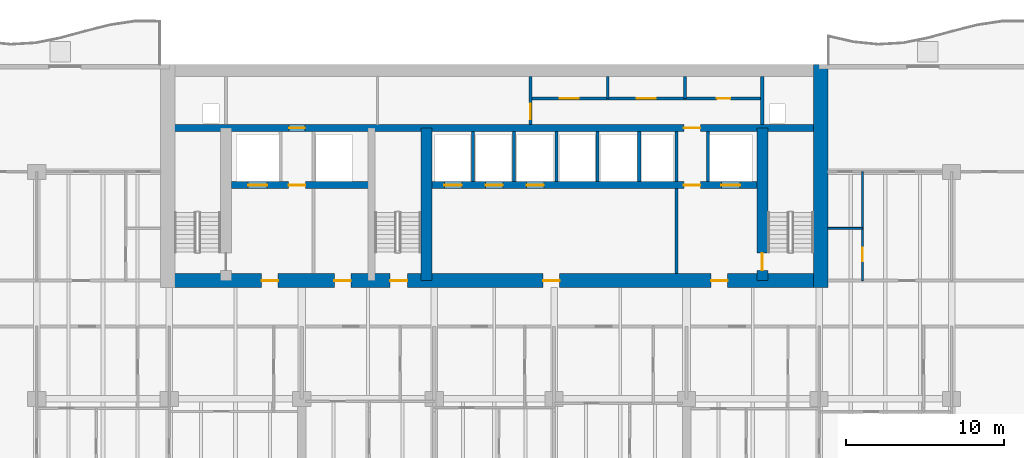
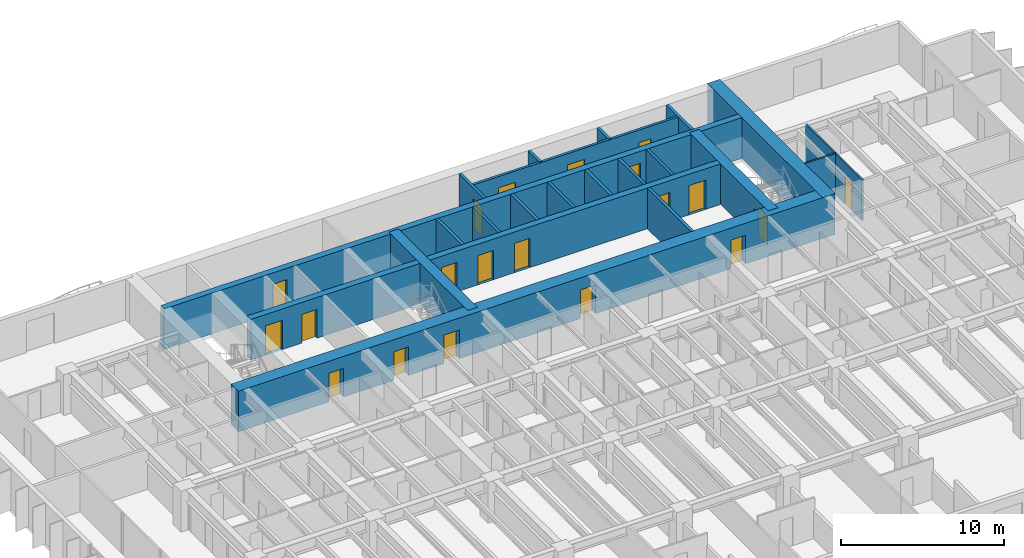
# One storey, part 11 of 18: 21 walls, 20 doors, 20 openings.
"""IFC4 building model written with IfcOpenShell, lengths in metres."""

from ifc_helpers import new_model, si_unit, direction, frame, frame_2d, origin, place, context, subcontext, project, spatial, rectangle, extrude, material, layer, layer_set, type_object, element, fill, save


model = new_model("IFC4")

# Units and contexts
model_context = context("Model", 3, precision=1e-05, world=origin(), true_north=direction((0.0, 1.0)))
body_context = subcontext(model_context, "Body", "Model", "MODEL_VIEW")
ifc_project = project(units=[si_unit("LENGTHUNIT", "METRE"), si_unit("AREAUNIT", "SQUARE_METRE"), si_unit("VOLUMEUNIT", "CUBIC_METRE"), si_unit("PLANEANGLEUNIT", "RADIAN"), si_unit("MASSUNIT", "GRAM", prefix="KILO")], contexts=[model_context])

# Site, building, storey
site_placement = place(None, origin())
site = spatial("IfcSite", under=ifc_project, at=site_placement, CompositionType="ELEMENT")
building_placement = place(site_placement, origin())
building = spatial("IfcBuilding", under=site, at=building_placement, Name="Caelmar Bay Residences", CompositionType="ELEMENT")
storey_placement = place(building_placement, frame((0.0, 0.0, 39.89990234375)))
storey = spatial("IfcBuildingStorey", under=building, at=storey_placement, Name="L09", CompositionType="ELEMENT", Elevation=39.89990234375)

# Wall, opening, door
ifc_material_1 = material(Name="Concrete f'c 55 MPa (8,000 psi)", Category="concrete")
ifc_layer_1 = layer(ifc_material_1, 0.699951171875)
ifc_layer_set_1 = layer_set([ifc_layer_1], Name="Concrete f'c 55 MPa (8,000 psi)")
wall_type_1 = type_object("IfcWallType", Name="SW-COR-700", PredefinedType="SHEAR", material=ifc_layer_set_1)
wall_1_placement = place(storey_placement, frame((55.89990234375, 36.89990234375, 0.0), z_axis=(0.0, 0.0, 1.0), x_axis=(0.0, 1.0, 0.0)))
wall_1 = element("IfcWall", 1, at=wall_1_placement, inside=storey, type_object=wall_type_1, Name="L09 Core Structural Web Wall ST2W", PredefinedType="SHEAR", context=body_context, shape_type="SweptSolid", body=[
    extrude(rectangle(XDim=9.675048828125, YDim=0.699951171875, at=frame_2d((4.83740234375, 0.0))), origin(), (0.0, 0.0, 1.0), 3.050048828125),
])
opening_1_placement = place(wall_1_placement, frame((0.64990234375, 0.0, 0.0)))
opening_1 = element("IfcOpeningElement", 2, at=opening_1_placement, cuts=wall_1, Name="Opening D-L09-111", PredefinedType="OPENING", context=body_context, shape_type="SweptSolid", body=[
    extrude(rectangle(XDim=1.10009765625, YDim=2.14990234375, at=frame_2d((0.550048828125, 1.074951171875))), frame((0.0, 0.35986328125, 0.0), z_axis=(0.0, -1.0, 0.0), x_axis=(1.0, 0.0, 0.0)), (0.0, 0.0, 1.0), 0.719970703125),
])
ifc_material_2 = material(Name="Fire-rated steel and walnut architectural door assembly", Category="steel")
ifc_layer_2 = layer(ifc_material_2, 0.050048828125)
ifc_layer_set_2 = layer_set([ifc_layer_2], Name="Fire-rated steel and walnut architectural door assembly")
door_type_1 = type_object("IfcDoorType", Name="D-STAIR-1100", OperationType="NOTDEFINED", PredefinedType="DOOR", material=ifc_layer_set_2)
door_1_placement = place(opening_1_placement, origin())
door_1 = element("IfcDoor", 3, at=door_1_placement, inside=storey, type_object=door_type_1, Name="L09 Firefighting Lobby East Door", OperationType="SINGLE_SWING_RIGHT", OverallHeight=2.14990234375, OverallWidth=1.10009765625, PredefinedType="DOOR", context=body_context, shape_type="SweptSolid", body=[
    extrude(rectangle(XDim=1.10009765625, YDim=2.14990234375, at=frame_2d((0.550048828125, 1.074951171875))), frame((0.0, 0.02490234375, 0.0), z_axis=(0.0, -1.0, 0.0), x_axis=(1.0, 0.0, 0.0)), (0.0, 0.0, 1.0), 0.050048828125),
])
fill(opening_1, door_1)

# Wall
wall_2_placement = place(storey_placement, frame((34.60009765625, 36.89990234375, 0.0), z_axis=(0.0, 0.0, 1.0), x_axis=(0.0, 1.0, 0.0)))
element("IfcWall", 4, at=wall_2_placement, inside=storey, type_object=wall_type_1, Name="L09 Core Structural Web Wall ST3E", PredefinedType="SHEAR", context=body_context, shape_type="SweptSolid", body=[
    extrude(rectangle(XDim=9.675048828125, YDim=0.699951171875, at=frame_2d((4.83740234375, 0.0))), origin(), (0.0, 0.0, 1.0), 3.050048828125),
])

# Wall, openings, doors
ifc_material_3 = material(Name="Concrete f'c 70 MPa (10,000 psi)", Category="concrete")
ifc_layer_3 = layer(ifc_material_3, 0.89990234375)
ifc_layer_set_3 = layer_set([ifc_layer_3], Name="Concrete f'c 70 MPa (10,000 psi)")
wall_type_2 = type_object("IfcWallType", Name="SW-COR-900", PredefinedType="SHEAR", material=ifc_layer_set_3)
wall_3_placement = place(storey_placement, frame((17.75, 36.89990234375, 0.0), z_axis=(0.0, 0.0, 1.0), x_axis=(1.0, 0.0, 0.0)))
wall_3 = element("IfcWall", 5, at=wall_3_placement, inside=storey, type_object=wall_type_2, Name="L09 Rear Core South Shear Wall", PredefinedType="SHEAR", context=body_context, shape_type="SweptSolid", body=[
    extrude(rectangle(XDim=42.300048828125, YDim=0.89990234375, at=frame_2d((21.14990234375, 0.0))), origin(), (0.0, 0.0, 1.0), 3.050048828125),
])
opening_2_placement = place(wall_3_placement, frame((14.550048828125, 0.0, 0.0)))
opening_2 = element("IfcOpeningElement", 6, at=opening_2_placement, cuts=wall_3, Name="Opening D-L09-106", PredefinedType="OPENING", context=body_context, shape_type="SweptSolid", body=[
    extrude(rectangle(XDim=1.10009765625, YDim=2.14990234375, at=frame_2d((0.550048828125, 1.074951171875))), frame((0.0, 0.4599609375, 0.0), z_axis=(0.0, -1.0, 0.0), x_axis=(1.0, 0.0, 0.0)), (0.0, 0.0, 1.0), 0.919921875),
])
opening_3_placement = place(wall_3_placement, frame((6.39990234375, 0.0, 0.0)))
opening_3 = element("IfcOpeningElement", 7, at=opening_3_placement, cuts=wall_3, Name="Opening D-L09-107", PredefinedType="OPENING", context=body_context, shape_type="SweptSolid", body=[
    extrude(rectangle(XDim=1.050048828125, YDim=2.14990234375, at=frame_2d((0.52490234375, 1.074951171875))), frame((0.0, 0.4599609375, 0.0), z_axis=(0.0, -1.0, 0.0), x_axis=(1.0, 0.0, 0.0)), (0.0, 0.0, 1.0), 0.919921875),
])
opening_4_placement = place(wall_3_placement, frame((34.89990234375, 0.0, 0.0)))
opening_4 = element("IfcOpeningElement", 8, at=opening_4_placement, cuts=wall_3, Name="Opening D-L09-110", PredefinedType="OPENING", context=body_context, shape_type="SweptSolid", body=[
    extrude(rectangle(XDim=1.050048828125, YDim=2.14990234375, at=frame_2d((0.52490234375, 1.074951171875))), frame((0.0, 0.4599609375, 0.0), z_axis=(0.0, -1.0, 0.0), x_axis=(1.0, 0.0, 0.0)), (0.0, 0.0, 1.0), 0.919921875),
])
opening_5_placement = place(wall_3_placement, frame((11.012451171875, 0.0, 0.0)))
opening_5 = element("IfcOpeningElement", 9, at=opening_5_placement, cuts=wall_3, Name="Opening D-L09-113", PredefinedType="OPENING", context=body_context, shape_type="SweptSolid", body=[
    extrude(rectangle(XDim=1.050048828125, YDim=2.14990234375, at=frame_2d((0.52490234375, 1.074951171875))), frame((0.0, 0.4599609375, 0.0), z_axis=(0.0, -1.0, 0.0), x_axis=(1.0, 0.0, 0.0)), (0.0, 0.0, 1.0), 0.919921875),
])
opening_6_placement = place(wall_3_placement, frame((24.25, 0.0, 0.0)))
opening_6 = element("IfcOpeningElement", 10, at=opening_6_placement, cuts=wall_3, Name="Opening D-L09-114", PredefinedType="OPENING", context=body_context, shape_type="SweptSolid", body=[
    extrude(rectangle(XDim=1.050048828125, YDim=2.14990234375, at=frame_2d((0.52490234375, 1.074951171875))), frame((0.0, 0.4599609375, 0.0), z_axis=(0.0, -1.0, 0.0), x_axis=(1.0, 0.0, 0.0)), (0.0, 0.0, 1.0), 0.919921875),
])
ifc_layer_4 = layer(ifc_material_2, 0.050048828125)
ifc_layer_set_4 = layer_set([ifc_layer_4], Name="Fire-rated steel and walnut architectural door assembly")
door_type_2 = type_object("IfcDoorType", Name="D-FSAE-1050", OperationType="NOTDEFINED", PredefinedType="DOOR", material=ifc_layer_set_4)
door_2_placement = place(opening_3_placement, origin())
door_2 = element("IfcDoor", 11, at=door_2_placement, inside=storey, type_object=door_type_2, Name="L09 Firefighting Lobby West Door", OperationType="SINGLE_SWING_RIGHT", OverallHeight=2.14990234375, OverallWidth=1.050048828125, PredefinedType="DOOR", context=body_context, shape_type="SweptSolid", body=[
    extrude(rectangle(XDim=1.050048828125, YDim=2.14990234375, at=frame_2d((0.52490234375, 1.074951171875))), frame((0.0, 0.02490234375, 0.0), z_axis=(0.0, -1.0, 0.0), x_axis=(1.0, 0.0, 0.0)), (0.0, 0.0, 1.0), 0.050048828125),
])
fill(opening_3, door_2)
door_3_placement = place(opening_4_placement, origin())
door_3 = element("IfcDoor", 12, at=door_3_placement, inside=storey, type_object=door_type_2, Name="L09 Firefighting Lobby East Door", OperationType="SINGLE_SWING_LEFT", OverallHeight=2.14990234375, OverallWidth=1.050048828125, PredefinedType="DOOR", context=body_context, shape_type="SweptSolid", body=[
    extrude(rectangle(XDim=1.050048828125, YDim=2.14990234375, at=frame_2d((0.52490234375, 1.074951171875))), frame((0.0, 0.02490234375, 0.0), z_axis=(0.0, -1.0, 0.0), x_axis=(1.0, 0.0, 0.0)), (0.0, 0.0, 1.0), 0.050048828125),
])
fill(opening_4, door_3)
door_4_placement = place(opening_5_placement, origin())
door_4 = element("IfcDoor", 13, at=door_4_placement, inside=storey, type_object=door_type_2, Name="L09 West Lift Lobby Door", OperationType="SINGLE_SWING_RIGHT", OverallHeight=2.14990234375, OverallWidth=1.050048828125, PredefinedType="DOOR", context=body_context, shape_type="SweptSolid", body=[
    extrude(rectangle(XDim=1.050048828125, YDim=2.14990234375, at=frame_2d((0.52490234375, 1.074951171875))), frame((0.0, 0.02490234375, 0.0), z_axis=(0.0, -1.0, 0.0), x_axis=(1.0, 0.0, 0.0)), (0.0, 0.0, 1.0), 0.050048828125),
])
fill(opening_5, door_4)
door_5_placement = place(opening_6_placement, origin())
door_5 = element("IfcDoor", 14, at=door_5_placement, inside=storey, type_object=door_type_2, Name="L09 Passenger Lift Lobby Door", OperationType="SINGLE_SWING_LEFT", OverallHeight=2.14990234375, OverallWidth=1.050048828125, PredefinedType="DOOR", context=body_context, shape_type="SweptSolid", body=[
    extrude(rectangle(XDim=1.050048828125, YDim=2.14990234375, at=frame_2d((0.52490234375, 1.074951171875))), frame((0.0, 0.02490234375, 0.0), z_axis=(0.0, -1.0, 0.0), x_axis=(1.0, 0.0, 0.0)), (0.0, 0.0, 1.0), 0.050048828125),
])
fill(opening_6, door_5)
door_6_placement = place(opening_2_placement, origin())
door_6 = element("IfcDoor", 15, at=door_6_placement, inside=storey, type_object=door_type_1, Name="L09 Exit Stair ST3 Door", OperationType="SINGLE_SWING_LEFT", OverallHeight=2.14990234375, OverallWidth=1.10009765625, PredefinedType="DOOR", context=body_context, shape_type="SweptSolid", body=[
    extrude(rectangle(XDim=1.10009765625, YDim=2.14990234375, at=frame_2d((0.550048828125, 1.074951171875))), frame((0.0, 0.02490234375, 0.0), z_axis=(0.0, -1.0, 0.0), x_axis=(1.0, 0.0, 0.0)), (0.0, 0.0, 1.0), 0.050048828125),
])
fill(opening_2, door_6)

# Wall
wall_4_placement = place(storey_placement, frame((59.60009765625, 36.449951171875, 0.0), z_axis=(0.0, 0.0, 1.0), x_axis=(0.0, 1.0, 0.0)))
element("IfcWall", 16, at=wall_4_placement, inside=storey, type_object=wall_type_2, Name="L09 Rear Core East Shear Wall", PredefinedType="SHEAR", context=body_context, shape_type="SweptSolid", body=[
    extrude(rectangle(XDim=14.150146484375, YDim=0.89990234375, at=frame_2d((7.0751953125, 0.0))), origin(), (0.0, 0.0, 1.0), 3.050048828125),
])

# Wall, openings, doors
ifc_layer_5 = layer(ifc_material_3, 0.449951171875)
ifc_layer_set_5 = layer_set([ifc_layer_5], Name="Concrete f'c 70 MPa (10,000 psi)")
wall_type_3 = type_object("IfcWallType", Name="SW-WEB-450", PredefinedType="SHEAR", material=ifc_layer_set_5)
wall_5_placement = place(storey_placement, frame((22.25, 42.949951171875, 0.0), z_axis=(0.0, 0.0, 1.0), x_axis=(1.0, 0.0, 0.0)))
wall_5 = element("IfcWall", 17, at=wall_5_placement, inside=storey, type_object=wall_type_3, Name="L09 Core Structural Web Wall LFR", PredefinedType="SHEAR", context=body_context, shape_type="SweptSolid", body=[
    extrude(rectangle(XDim=33.300048828125, YDim=0.449951171875, at=frame_2d((16.64990234375, 0.0))), origin(), (0.0, 0.0, 1.0), 3.050048828125),
])
opening_7_placement = place(wall_5_placement, frame((1.050048828125, 0.0, 0.0)))
opening_7 = element("IfcOpeningElement", 18, at=opening_7_placement, cuts=wall_5, Name="Opening LD2", PredefinedType="OPENING", context=body_context, shape_type="SweptSolid", body=[
    extrude(rectangle(XDim=1.199951171875, YDim=2.199951171875, at=frame_2d((0.60009765625, 1.10009765625))), frame((0.0, 0.23486328125, 0.0), z_axis=(0.0, -1.0, 0.0), x_axis=(1.0, 0.0, 0.0)), (0.0, 0.0, 1.0), 0.469970703125),
])
opening_8_placement = place(wall_5_placement, frame((31.050048828125, 0.0, 0.0)))
opening_8 = element("IfcOpeningElement", 19, at=opening_8_placement, cuts=wall_5, Name="Opening LD2", PredefinedType="OPENING", context=body_context, shape_type="SweptSolid", body=[
    extrude(rectangle(XDim=1.199951171875, YDim=2.199951171875, at=frame_2d((0.60009765625, 1.10009765625))), frame((0.0, 0.23486328125, 0.0), z_axis=(0.0, -1.0, 0.0), x_axis=(1.0, 0.0, 0.0)), (0.0, 0.0, 1.0), 0.469970703125),
])
opening_9_placement = place(wall_5_placement, frame((13.5, 0.0, 0.0)))
opening_9 = element("IfcOpeningElement", 20, at=opening_9_placement, cuts=wall_5, Name="Opening LD1", PredefinedType="OPENING", context=body_context, shape_type="SweptSolid", body=[
    extrude(rectangle(XDim=1.10009765625, YDim=2.199951171875, at=frame_2d((0.550048828125, 1.10009765625))), frame((0.0, 0.23486328125, 0.0), z_axis=(0.0, -1.0, 0.0), x_axis=(1.0, 0.0, 0.0)), (0.0, 0.0, 1.0), 0.469970703125),
])
opening_10_placement = place(wall_5_placement, frame((16.10009765625, 0.0, 0.0)))
opening_10 = element("IfcOpeningElement", 21, at=opening_10_placement, cuts=wall_5, Name="Opening LD1", PredefinedType="OPENING", context=body_context, shape_type="SweptSolid", body=[
    extrude(rectangle(XDim=1.10009765625, YDim=2.199951171875, at=frame_2d((0.550048828125, 1.10009765625))), frame((0.0, 0.23486328125, 0.0), z_axis=(0.0, -1.0, 0.0), x_axis=(1.0, 0.0, 0.0)), (0.0, 0.0, 1.0), 0.469970703125),
])
opening_11_placement = place(wall_5_placement, frame((18.699951171875, 0.0, 0.0)))
opening_11 = element("IfcOpeningElement", 22, at=opening_11_placement, cuts=wall_5, Name="Opening LD1", PredefinedType="OPENING", context=body_context, shape_type="SweptSolid", body=[
    extrude(rectangle(XDim=1.10009765625, YDim=2.199951171875, at=frame_2d((0.550048828125, 1.10009765625))), frame((0.0, 0.23486328125, 0.0), z_axis=(0.0, -1.0, 0.0), x_axis=(1.0, 0.0, 0.0)), (0.0, 0.0, 1.0), 0.469970703125),
])
opening_12_placement = place(wall_5_placement, frame((3.625, 0.0, 0.0)))
opening_12 = element("IfcOpeningElement", 23, at=opening_12_placement, cuts=wall_5, Name="Opening D-L09-109", PredefinedType="OPENING", context=body_context, shape_type="SweptSolid", body=[
    extrude(rectangle(XDim=1.050048828125, YDim=2.14990234375, at=frame_2d((0.52490234375, 1.074951171875))), frame((0.0, 0.23486328125, 0.0), z_axis=(0.0, -1.0, 0.0), x_axis=(1.0, 0.0, 0.0)), (0.0, 0.0, 1.0), 0.469970703125),
])
opening_13_placement = place(wall_5_placement, frame((28.675048828125, 0.0, 0.0)))
opening_13 = element("IfcOpeningElement", 24, at=opening_13_placement, cuts=wall_5, Name="Opening D-L09-112", PredefinedType="OPENING", context=body_context, shape_type="SweptSolid", body=[
    extrude(rectangle(XDim=1.050048828125, YDim=2.14990234375, at=frame_2d((0.52490234375, 1.074951171875))), frame((0.0, 0.23486328125, 0.0), z_axis=(0.0, -1.0, 0.0), x_axis=(1.0, 0.0, 0.0)), (0.0, 0.0, 1.0), 0.469970703125),
])
door_7_placement = place(opening_12_placement, origin())
door_7 = element("IfcDoor", 25, at=door_7_placement, inside=storey, type_object=door_type_2, Name="L09 Firefighting Lobby West Door", OperationType="SINGLE_SWING_RIGHT", OverallHeight=2.14990234375, OverallWidth=1.050048828125, PredefinedType="DOOR", context=body_context, shape_type="SweptSolid", body=[
    extrude(rectangle(XDim=1.050048828125, YDim=2.14990234375, at=frame_2d((0.52490234375, 1.074951171875))), frame((0.0, 0.02490234375, 0.0), z_axis=(0.0, -1.0, 0.0), x_axis=(1.0, 0.0, 0.0)), (0.0, 0.0, 1.0), 0.050048828125),
])
fill(opening_12, door_7)
door_8_placement = place(opening_13_placement, origin())
door_8 = element("IfcDoor", 26, at=door_8_placement, inside=storey, type_object=door_type_2, Name="L09 Firefighting Lobby East Door", OperationType="SINGLE_SWING_LEFT", OverallHeight=2.14990234375, OverallWidth=1.050048828125, PredefinedType="DOOR", context=body_context, shape_type="SweptSolid", body=[
    extrude(rectangle(XDim=1.050048828125, YDim=2.14990234375, at=frame_2d((0.52490234375, 1.074951171875))), frame((0.0, 0.02490234375, 0.0), z_axis=(0.0, -1.0, 0.0), x_axis=(1.0, 0.0, 0.0)), (0.0, 0.0, 1.0), 0.050048828125),
])
fill(opening_13, door_8)
ifc_material_4 = material(Name="Brushed bronze stainless-steel fire-rated lift landing doors", Category="steel")
ifc_layer_6 = layer(ifc_material_4, 0.050048828125)
ifc_layer_set_6 = layer_set([ifc_layer_6], Name="Brushed bronze stainless-steel fire-rated lift landing doors")
door_type_3 = type_object("IfcDoorType", Name="D-LND-1100", OperationType="DOUBLE_DOOR_SLIDING", PredefinedType="DOOR", material=ifc_layer_set_6)
door_9_placement = place(opening_9_placement, origin())
door_9 = element("IfcDoor", 27, at=door_9_placement, inside=storey, type_object=door_type_3, Name="L09 LP1 Sliding Landing Door", OperationType="DOUBLE_DOOR_SLIDING", OverallHeight=2.199951171875, OverallWidth=1.10009765625, PredefinedType="DOOR", context=body_context, shape_type="SweptSolid", body=[
    extrude(rectangle(XDim=1.10009765625, YDim=2.199951171875, at=frame_2d((0.550048828125, 1.10009765625))), frame((0.0, 0.02490234375, 0.0), z_axis=(0.0, -1.0, 0.0), x_axis=(1.0, 0.0, 0.0)), (0.0, 0.0, 1.0), 0.050048828125),
])
fill(opening_9, door_9)
door_10_placement = place(opening_10_placement, origin())
door_10 = element("IfcDoor", 28, at=door_10_placement, inside=storey, type_object=door_type_3, Name="L09 LP2 Sliding Landing Door", OperationType="DOUBLE_DOOR_SLIDING", OverallHeight=2.199951171875, OverallWidth=1.10009765625, PredefinedType="DOOR", context=body_context, shape_type="SweptSolid", body=[
    extrude(rectangle(XDim=1.10009765625, YDim=2.199951171875, at=frame_2d((0.550048828125, 1.10009765625))), frame((0.0, 0.02490234375, 0.0), z_axis=(0.0, -1.0, 0.0), x_axis=(1.0, 0.0, 0.0)), (0.0, 0.0, 1.0), 0.050048828125),
])
fill(opening_10, door_10)
door_11_placement = place(opening_11_placement, origin())
door_11 = element("IfcDoor", 29, at=door_11_placement, inside=storey, type_object=door_type_3, Name="L09 LP3 Sliding Landing Door", OperationType="DOUBLE_DOOR_SLIDING", OverallHeight=2.199951171875, OverallWidth=1.10009765625, PredefinedType="DOOR", context=body_context, shape_type="SweptSolid", body=[
    extrude(rectangle(XDim=1.10009765625, YDim=2.199951171875, at=frame_2d((0.550048828125, 1.10009765625))), frame((0.0, 0.02490234375, 0.0), z_axis=(0.0, -1.0, 0.0), x_axis=(1.0, 0.0, 0.0)), (0.0, 0.0, 1.0), 0.050048828125),
])
fill(opening_11, door_11)
ifc_material_5 = material(Name="Brushed stainless-steel FSAE sliding landing door", Category="steel")
ifc_layer_7 = layer(ifc_material_5, 0.050048828125)
ifc_layer_set_7 = layer_set([ifc_layer_7], Name="Brushed stainless-steel FSAE sliding landing door")
door_type_4 = type_object("IfcDoorType", Name="D-LND-1200", OperationType="DOUBLE_DOOR_SLIDING", PredefinedType="DOOR", material=ifc_layer_set_7)
door_12_placement = place(opening_7_placement, origin())
door_12 = element("IfcDoor", 30, at=door_12_placement, inside=storey, type_object=door_type_4, Name="L09 LF1 Sliding Landing Door", OperationType="DOUBLE_DOOR_SLIDING", OverallHeight=2.199951171875, OverallWidth=1.199951171875, PredefinedType="DOOR", context=body_context, shape_type="SweptSolid", body=[
    extrude(rectangle(XDim=1.199951171875, YDim=2.199951171875, at=frame_2d((0.60009765625, 1.10009765625))), frame((0.0, 0.02490234375, 0.0), z_axis=(0.0, -1.0, 0.0), x_axis=(1.0, 0.0, 0.0)), (0.0, 0.0, 1.0), 0.050048828125),
])
fill(opening_7, door_12)
door_13_placement = place(opening_8_placement, origin())
door_13 = element("IfcDoor", 31, at=door_13_placement, inside=storey, type_object=door_type_4, Name="L09 LF2 Sliding Landing Door", OperationType="DOUBLE_DOOR_SLIDING", OverallHeight=2.199951171875, OverallWidth=1.199951171875, PredefinedType="DOOR", context=body_context, shape_type="SweptSolid", body=[
    extrude(rectangle(XDim=1.199951171875, YDim=2.199951171875, at=frame_2d((0.60009765625, 1.10009765625))), frame((0.0, 0.02490234375, 0.0), z_axis=(0.0, -1.0, 0.0), x_axis=(1.0, 0.0, 0.0)), (0.0, 0.0, 1.0), 0.050048828125),
])
fill(opening_8, door_13)

wall_6_placement = place(storey_placement, frame((18.199951171875, 46.574951171875, 0.0), z_axis=(0.0, 0.0, 1.0), x_axis=(1.0, 0.0, 0.0)))
wall_6 = element("IfcWall", 32, at=wall_6_placement, inside=storey, type_object=wall_type_3, Name="L09 Core Structural Web Wall SRVS", PredefinedType="SHEAR", context=body_context, shape_type="SweptSolid", body=[
    extrude(rectangle(XDim=41.400146484375, YDim=0.449951171875, at=frame_2d((20.7001953125, 0.0))), origin(), (0.0, 0.0, 1.0), 3.050048828125),
])
opening_14_placement = place(wall_6_placement, frame((7.699951171875, 0.0, 0.0)))
opening_14 = element("IfcOpeningElement", 33, at=opening_14_placement, cuts=wall_6, Name="Opening D-L09-115", PredefinedType="OPENING", context=body_context, shape_type="SweptSolid", body=[
    extrude(rectangle(XDim=1.0, YDim=2.199951171875, at=frame_2d((0.5, 1.10009765625))), frame((0.0, 0.23486328125, 0.0), z_axis=(0.0, -1.0, 0.0), x_axis=(1.0, 0.0, 0.0)), (0.0, 0.0, 1.0), 0.469970703125),
])
opening_15_placement = place(wall_6_placement, frame((32.72509765625, 0.0, 0.0)))
opening_15 = element("IfcOpeningElement", 34, at=opening_15_placement, cuts=wall_6, Name="Opening D-L09-116", PredefinedType="OPENING", context=body_context, shape_type="SweptSolid", body=[
    extrude(rectangle(XDim=1.050048828125, YDim=2.14990234375, at=frame_2d((0.52490234375, 1.074951171875))), frame((0.0, 0.23486328125, 0.0), z_axis=(0.0, -1.0, 0.0), x_axis=(1.0, 0.0, 0.0)), (0.0, 0.0, 1.0), 0.469970703125),
])
door_14_placement = place(opening_15_placement, origin())
door_14 = element("IfcDoor", 35, at=door_14_placement, inside=storey, type_object=door_type_2, Name="L09 East Core Service Corridor Door", OperationType="SINGLE_SWING_LEFT", OverallHeight=2.14990234375, OverallWidth=1.050048828125, PredefinedType="DOOR", context=body_context, shape_type="SweptSolid", body=[
    extrude(rectangle(XDim=1.050048828125, YDim=2.14990234375, at=frame_2d((0.52490234375, 1.074951171875))), frame((0.0, 0.02490234375, 0.0), z_axis=(0.0, -1.0, 0.0), x_axis=(1.0, 0.0, 0.0)), (0.0, 0.0, 1.0), 0.050048828125),
])
fill(opening_15, door_14)
ifc_layer_8 = layer(ifc_material_2, 0.050048828125)
ifc_layer_set_8 = layer_set([ifc_layer_8], Name="Fire-rated steel and walnut architectural door assembly")
door_type_5 = type_object("IfcDoorType", Name="D-UNIT-1000", OperationType="NOTDEFINED", PredefinedType="DOOR", material=ifc_layer_set_8)
door_15_placement = place(opening_14_placement, origin())
door_15 = element("IfcDoor", 36, at=door_15_placement, inside=storey, type_object=door_type_5, Name="L09 Package Concierge Office Door", OperationType="SINGLE_SWING_RIGHT", OverallHeight=2.199951171875, OverallWidth=1.0, PredefinedType="DOOR", context=body_context, shape_type="SweptSolid", body=[
    extrude(rectangle(XDim=1.0, YDim=2.199951171875, at=frame_2d((0.5, 1.10009765625))), frame((0.0, 0.02490234375, 0.0), z_axis=(0.0, -1.0, 0.0), x_axis=(1.0, 0.0, 0.0)), (0.0, 0.0, 1.0), 0.050048828125),
])
fill(opening_14, door_15)

# Wall, opening, door
ifc_material_6 = material(Name="Double-stud acoustic fire-rated gypsum partition 180 mm")
ifc_layer_9 = layer(ifc_material_6, 0.179931640625)
ifc_layer_set_9 = layer_set([ifc_layer_9], Name="Double-stud acoustic fire-rated gypsum partition 180 mm")
wall_type_4 = type_object("IfcWallType", Name="W-COR-200", PredefinedType="PARTITIONING", material=ifc_layer_set_9)
wall_7_placement = place(storey_placement, frame((41.199951171875, 46.794921875, 0.0), z_axis=(0.0, 0.0, 1.0), x_axis=(0.0, 1.0, 0.0)))
wall_7 = element("IfcWall", 37, at=wall_7_placement, inside=storey, type_object=wall_type_4, Name="L09 Partition Wall V059", PredefinedType="PARTITIONING", context=body_context, shape_type="SweptSolid", body=[
    extrude(rectangle(XDim=3.06005859375, YDim=0.179931640625, at=frame_2d((1.530029296875, 0.0))), origin(), (0.0, 0.0, 1.0), 3.050048828125),
])
opening_16_placement = place(wall_7_placement, frame((0.327392578125, 0.0, 0.0)))
opening_16 = element("IfcOpeningElement", 38, at=opening_16_placement, cuts=wall_7, Name="Opening D-L09-117", PredefinedType="OPENING", context=body_context, shape_type="SweptSolid", body=[
    extrude(rectangle(XDim=1.0, YDim=2.199951171875, at=frame_2d((0.5, 1.10009765625))), frame((0.0, 0.099853515625, 0.0), z_axis=(0.0, -1.0, 0.0), x_axis=(1.0, 0.0, 0.0)), (0.0, 0.0, 1.0), 0.199951171875),
])
door_16_placement = place(opening_16_placement, origin())
door_16 = element("IfcDoor", 39, at=door_16_placement, inside=storey, type_object=door_type_5, Name="L09 Engineering Control Office Door", OperationType="SINGLE_SWING_RIGHT", OverallHeight=2.199951171875, OverallWidth=1.0, PredefinedType="DOOR", context=body_context, shape_type="SweptSolid", body=[
    extrude(rectangle(XDim=1.0, YDim=2.199951171875, at=frame_2d((0.5, 1.10009765625))), frame((0.0, 0.02490234375, 0.0), z_axis=(0.0, -1.0, 0.0), x_axis=(1.0, 0.0, 0.0)), (0.0, 0.0, 1.0), 0.050048828125),
])
fill(opening_16, door_16)

# Walls
for number, where, z_axis, x_axis, name in (
    (40, (46.10009765625, 48.449951171875, 0.0), (0.0, 0.0, 1.0), (0.0, 1.0, 0.0), "L09 Partition Wall V068"),
    (41, (51.0, 48.449951171875, 0.0), (0.0, 0.0, 1.0), (0.0, 1.0, 0.0), "L09 Partition Wall V079"),
):
    element("IfcWall", number, at=place(storey_placement, frame(where, z_axis=z_axis, x_axis=x_axis)), inside=storey, type_object=wall_type_4, Name=name, PredefinedType="PARTITIONING", context=body_context, shape_type="SweptSolid", body=[
        extrude(rectangle(XDim=1.405029296875, YDim=0.179931640625, at=frame_2d((0.70263671875, 0.0))), origin(), (0.0, 0.0, 1.0), 3.050048828125),
    ])

# Wall, openings, doors
wall_8_placement = place(storey_placement, frame((41.199951171875, 48.449951171875, 0.0), z_axis=(0.0, 0.0, 1.0), x_axis=(1.0, 0.0, 0.0)))
wall_8 = element("IfcWall", 42, at=wall_8_placement, inside=storey, type_object=wall_type_4, Name="L09 Partition Wall H140", PredefinedType="PARTITIONING", context=body_context, shape_type="SweptSolid", body=[
    extrude(rectangle(XDim=14.699951171875, YDim=0.179931640625, at=frame_2d((7.35009765625, 0.0))), origin(), (0.0, 0.0, 1.0), 3.050048828125),
])
opening_17_placement = place(wall_8_placement, frame((1.85009765625, 0.0, 0.0)))
opening_17 = element("IfcOpeningElement", 43, at=opening_17_placement, cuts=wall_8, Name="Opening D-L09-118", PredefinedType="OPENING", context=body_context, shape_type="SweptSolid", body=[
    extrude(rectangle(XDim=1.199951171875, YDim=2.199951171875, at=frame_2d((0.60009765625, 1.10009765625))), frame((0.0, 0.099853515625, 0.0), z_axis=(0.0, -1.0, 0.0), x_axis=(1.0, 0.0, 0.0)), (0.0, 0.0, 1.0), 0.199951171875),
])
opening_18_placement = place(wall_8_placement, frame((6.75, 0.0, 0.0)))
opening_18 = element("IfcOpeningElement", 44, at=opening_18_placement, cuts=wall_8, Name="Opening D-L09-119", PredefinedType="OPENING", context=body_context, shape_type="SweptSolid", body=[
    extrude(rectangle(XDim=1.199951171875, YDim=2.199951171875, at=frame_2d((0.60009765625, 1.10009765625))), frame((0.0, 0.099853515625, 0.0), z_axis=(0.0, -1.0, 0.0), x_axis=(1.0, 0.0, 0.0)), (0.0, 0.0, 1.0), 0.199951171875),
])
opening_19_placement = place(wall_8_placement, frame((11.824951171875, 0.0, 0.0)))
opening_19 = element("IfcOpeningElement", 45, at=opening_19_placement, cuts=wall_8, Name="Opening D-L09-120", PredefinedType="OPENING", context=body_context, shape_type="SweptSolid", body=[
    extrude(rectangle(XDim=0.85009765625, YDim=2.10009765625, at=frame_2d((0.425048828125, 1.050048828125))), frame((0.0, 0.099853515625, 0.0), z_axis=(0.0, -1.0, 0.0), x_axis=(1.0, 0.0, 0.0)), (0.0, 0.0, 1.0), 0.199951171875),
])
ifc_layer_10 = layer(ifc_material_2, 0.050048828125)
ifc_layer_set_10 = layer_set([ifc_layer_10], Name="Fire-rated steel and walnut architectural door assembly")
door_type_6 = type_object("IfcDoorType", Name="D-CORE-850", OperationType="NOTDEFINED", PredefinedType="DOOR", material=ifc_layer_set_10)
door_17_placement = place(opening_19_placement, origin())
door_17 = element("IfcDoor", 46, at=door_17_placement, inside=storey, type_object=door_type_6, Name="L09 Accessible Staff WC Door", OperationType="SINGLE_SWING_LEFT", OverallHeight=2.10009765625, OverallWidth=0.85009765625, PredefinedType="DOOR", context=body_context, shape_type="SweptSolid", body=[
    extrude(rectangle(XDim=0.85009765625, YDim=2.10009765625, at=frame_2d((0.425048828125, 1.050048828125))), frame((0.0, 0.02490234375, 0.0), z_axis=(0.0, -1.0, 0.0), x_axis=(1.0, 0.0, 0.0)), (0.0, 0.0, 1.0), 0.050048828125),
])
fill(opening_19, door_17)
ifc_layer_11 = layer(ifc_material_2, 0.050048828125)
ifc_layer_set_11 = layer_set([ifc_layer_11], Name="Fire-rated steel and walnut architectural door assembly")
door_type_7 = type_object("IfcDoorType", Name="D-PLANT-1200", OperationType="NOTDEFINED", PredefinedType="DOOR", material=ifc_layer_set_11)
door_18_placement = place(opening_17_placement, origin())
door_18 = element("IfcDoor", 47, at=door_18_placement, inside=storey, type_object=door_type_7, Name="L09 Electrical Closet Door", OperationType="SINGLE_SWING_LEFT", OverallHeight=2.199951171875, OverallWidth=1.199951171875, PredefinedType="DOOR", context=body_context, shape_type="SweptSolid", body=[
    extrude(rectangle(XDim=1.199951171875, YDim=2.199951171875, at=frame_2d((0.60009765625, 1.10009765625))), frame((0.0, 0.02490234375, 0.0), z_axis=(0.0, -1.0, 0.0), x_axis=(1.0, 0.0, 0.0)), (0.0, 0.0, 1.0), 0.050048828125),
])
fill(opening_17, door_18)
door_19_placement = place(opening_18_placement, origin())
door_19 = element("IfcDoor", 48, at=door_19_placement, inside=storey, type_object=door_type_7, Name="L09 Housekeeping Linen Closet Door", OperationType="SINGLE_SWING_RIGHT", OverallHeight=2.199951171875, OverallWidth=1.199951171875, PredefinedType="DOOR", context=body_context, shape_type="SweptSolid", body=[
    extrude(rectangle(XDim=1.199951171875, YDim=2.199951171875, at=frame_2d((0.60009765625, 1.10009765625))), frame((0.0, 0.02490234375, 0.0), z_axis=(0.0, -1.0, 0.0), x_axis=(1.0, 0.0, 0.0)), (0.0, 0.0, 1.0), 0.050048828125),
])
fill(opening_18, door_19)

# Walls
ifc_material_7 = material(Name="Fire-rated masonry and gypsum shaftliner assembly 200 mm", Category="masonry")
ifc_layer_12 = layer(ifc_material_7, 0.199951171875)
ifc_layer_set_12 = layer_set([ifc_layer_12], Name="Fire-rated masonry and gypsum shaftliner assembly 200 mm")
wall_type_5 = type_object("IfcWallType", Name="W-FSAE-200", PredefinedType="PARTITIONING", material=ifc_layer_set_12)
for number, where, z_axis, x_axis, name in (
    (49, (37.550048828125, 43.169921875, 0.0), (0.0, 0.0, 1.0), (0.0, 1.0, 0.0), "L09 Partition Wall V050"),
    (50, (40.14990234375, 43.169921875, 0.0), (0.0, 0.0, 1.0), (0.0, 1.0, 0.0), "L09 Partition Wall V057"),
    (51, (42.85009765625, 43.169921875, 0.0), (0.0, 0.0, 1.0), (0.0, 1.0, 0.0), "L09 Partition Wall V066"),
    (52, (45.449951171875, 43.169921875, 0.0), (0.0, 0.0, 1.0), (0.0, 1.0, 0.0), "L09 Partition Wall V067"),
    (53, (48.10009765625, 43.169921875, 0.0), (0.0, 0.0, 1.0), (0.0, 1.0, 0.0), "L09 Partition Wall V075"),
):
    element("IfcWall", number, at=place(storey_placement, frame(where, z_axis=z_axis, x_axis=x_axis)), inside=storey, type_object=wall_type_5, Name=name, PredefinedType="PARTITIONING", context=body_context, shape_type="SweptSolid", body=[
        extrude(rectangle(XDim=3.18505859375, YDim=0.199951171875, at=frame_2d((1.592529296875, 0.0))), origin(), (0.0, 0.0, 1.0), 3.050048828125),
    ])
wall_9_placement = place(storey_placement, frame((50.449951171875, 37.344970703125, 0.0), z_axis=(0.0, 0.0, 1.0), x_axis=(0.0, 1.0, 0.0)))
element("IfcWall", 54, at=wall_9_placement, inside=storey, type_object=wall_type_5, Name="L09 Partition Wall V077", PredefinedType="PARTITIONING", context=body_context, shape_type="SweptSolid", body=[
    extrude(rectangle(XDim=5.385009765625, YDim=0.199951171875, at=frame_2d((2.6923828125, 0.0))), origin(), (0.0, 0.0, 1.0), 3.050048828125),
])
for number, where, z_axis, x_axis, name in (
    (55, (50.449951171875, 43.169921875, 0.0), (0.0, 0.0, 1.0), (0.0, 1.0, 0.0), "L09 Partition Wall V078"),
    (56, (52.449951171875, 43.169921875, 0.0), (0.0, 0.0, 1.0), (0.0, 1.0, 0.0), "L09 Partition Wall V083"),
):
    element("IfcWall", number, at=place(storey_placement, frame(where, z_axis=z_axis, x_axis=x_axis)), inside=storey, type_object=wall_type_5, Name=name, PredefinedType="PARTITIONING", context=body_context, shape_type="SweptSolid", body=[
        extrude(rectangle(XDim=3.18505859375, YDim=0.199951171875, at=frame_2d((1.592529296875, 0.0))), origin(), (0.0, 0.0, 1.0), 3.050048828125),
    ])
wall_10_placement = place(storey_placement, frame((55.89990234375, 46.794921875, 0.0), z_axis=(0.0, 0.0, 1.0), x_axis=(0.0, 1.0, 0.0)))
element("IfcWall", 57, at=wall_10_placement, inside=storey, type_object=wall_type_5, Name="L09 Partition Wall V087", PredefinedType="PARTITIONING", context=body_context, shape_type="SweptSolid", body=[
    extrude(rectangle(XDim=3.06005859375, YDim=0.199951171875, at=frame_2d((1.530029296875, 0.0))), origin(), (0.0, 0.0, 1.0), 3.050048828125),
])

# Wall, opening, door
ifc_material_8 = material(Name="Acoustic metal-stud gypsum partition 120 mm")
ifc_layer_13 = layer(ifc_material_8, 0.1201171875)
ifc_layer_set_13 = layer_set([ifc_layer_13], Name="Acoustic metal-stud gypsum partition 120 mm")
wall_type_6 = type_object("IfcWallType", Name="W-PRT-120", PredefinedType="PARTITIONING", material=ifc_layer_set_13)
wall_11_placement = place(storey_placement, frame((62.25, 36.89990234375, 0.0), z_axis=(0.0, 0.0, 1.0), x_axis=(0.0, 1.0, 0.0)))
wall_11 = element("IfcWall", 58, at=wall_11_placement, inside=storey, type_object=wall_type_6, Name="L09 Partition Wall V095", PredefinedType="PARTITIONING", context=body_context, shape_type="SweptSolid", body=[
    extrude(rectangle(XDim=6.900146484375, YDim=0.1201171875, at=frame_2d((3.4501953125, 0.0))), origin(), (0.0, 0.0, 1.0), 3.050048828125),
])
opening_20_placement = place(wall_11_placement, frame((1.23095703125, 0.0, 0.0)))
opening_20 = element("IfcOpeningElement", 59, at=opening_20_placement, cuts=wall_11, Name="Opening D-L09-176", PredefinedType="OPENING", context=body_context, shape_type="SweptSolid", body=[
    extrude(rectangle(XDim=0.85009765625, YDim=2.10009765625, at=frame_2d((0.425048828125, 1.050048828125))), frame((0.0, 0.070068359375, 0.0), z_axis=(0.0, -1.0, 0.0), x_axis=(1.0, 0.0, 0.0)), (0.0, 0.0, 1.0), 0.14013671875),
])
ifc_material_9 = material(Name="Solid walnut timber interior door leaf and frame", Category="wood")
ifc_layer_14 = layer(ifc_material_9, 0.050048828125)
ifc_layer_set_14 = layer_set([ifc_layer_14], Name="Solid walnut timber interior door leaf and frame")
door_type_8 = type_object("IfcDoorType", Name="D-BATH-850", OperationType="NOTDEFINED", PredefinedType="DOOR", material=ifc_layer_set_14)
door_20_placement = place(opening_20_placement, origin())
door_20 = element("IfcDoor", 60, at=door_20_placement, inside=storey, type_object=door_type_8, Name="L09 Residence EA Walk-In Closet Door", OperationType="SINGLE_SWING_LEFT", OverallHeight=2.10009765625, OverallWidth=0.85009765625, PredefinedType="DOOR", context=body_context, shape_type="SweptSolid", body=[
    extrude(rectangle(XDim=0.85009765625, YDim=2.10009765625, at=frame_2d((0.425048828125, 1.050048828125))), frame((0.0, 0.02490234375, 0.0), z_axis=(0.0, -1.0, 0.0), x_axis=(1.0, 0.0, 0.0)), (0.0, 0.0, 1.0), 0.050048828125),
])
fill(opening_20, door_20)

# Wall
wall_12_placement = place(storey_placement, frame((60.044921875, 40.2119140625, 0.0), z_axis=(0.0, 0.0, 1.0), x_axis=(1.0, 0.0, 0.0)))
element("IfcWall", 61, at=wall_12_placement, inside=storey, type_object=wall_type_6, Name="L09 Partition Wall H137", PredefinedType="PARTITIONING", context=body_context, shape_type="SweptSolid", body=[
    extrude(rectangle(XDim=2.205078125, YDim=0.1201171875, at=frame_2d((1.1025390625, 0.0))), origin(), (0.0, 0.0, 1.0), 3.050048828125),
])

save(model, "model.ifc")
